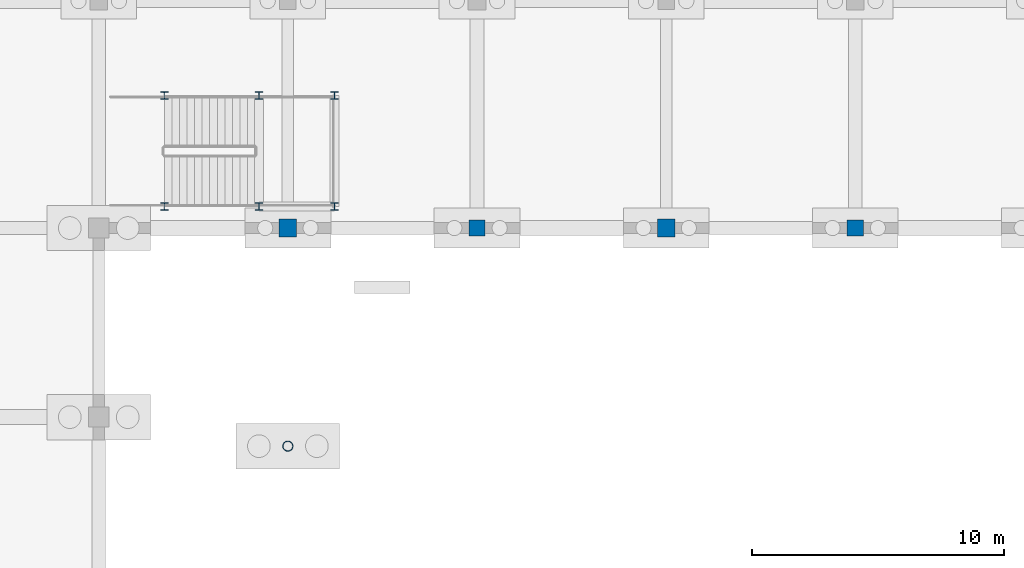
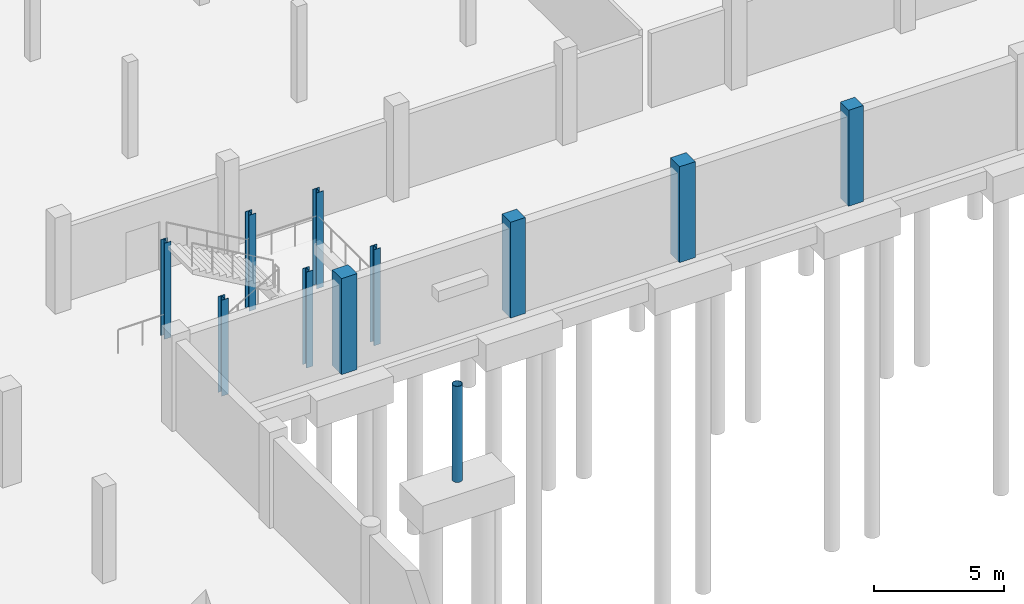
# One storey, part 18 of 42: 11 columns.
"""IFC4 building model written with IfcOpenShell, lengths in metres."""

from ifc_helpers import new_model, si_unit, direction, frame, origin, origin_2d, place, context, subcontext, project, spatial, rectangle, hollow_circle, i_section, extrude, material, material_profile, profile_set, type_object, element, save


model = new_model("IFC4")

# Units and contexts
model_context = context("Model", 3, precision=1e-05, world=origin(), true_north=direction((0.0, 1.0)))
body_context = subcontext(model_context, "Body", "Model", "MODEL_VIEW")
ifc_project = project(units=[si_unit("LENGTHUNIT", "METRE"), si_unit("AREAUNIT", "SQUARE_METRE"), si_unit("VOLUMEUNIT", "CUBIC_METRE"), si_unit("PLANEANGLEUNIT", "RADIAN"), si_unit("MASSUNIT", "GRAM", prefix="KILO")], contexts=[model_context])

# Site, building, storey
site_placement = place(None, origin())
site = spatial("IfcSite", under=ifc_project, at=site_placement, CompositionType="ELEMENT")
building_placement = place(site_placement, origin())
building = spatial("IfcBuilding", under=site, at=building_placement, Name="Dalvernix Boulevard General Hospital", CompositionType="ELEMENT")
storey_placement = place(building_placement, frame((0.0, 0.0, -4.5)))
storey = spatial("IfcBuildingStorey", under=building, at=storey_placement, Name="B1", CompositionType="ELEMENT", Elevation=-4.5)

# Columns
ifc_material_1 = material(Name="Concrete C40/50", Category="concrete")
ifc_material_profile_1 = material_profile(ifc_material_1, rectangle(XDim=0.699951171875, YDim=0.699951171875, at=origin_2d()), Name="RC 700x700")
ifc_profile_set_1 = profile_set([ifc_material_profile_1], Name="Concrete C40/50")
column_type_1 = type_object("IfcColumnType", Name="COL-C-05-E", PredefinedType="COLUMN", material=ifc_profile_set_1)
for number, where, z_axis, x_axis, name in (
    (1, (67.5, 22.5, 0.0), (0.0, 0.0, 1.0), (1.0, 0.0, 0.0), "B1 column 10D"),
    (2, (82.5, 22.5, 0.0), (0.0, 0.0, 1.0), (1.0, 0.0, 0.0), "B1 column 12D"),
):
    element("IfcColumn", number, at=place(storey_placement, frame(where, z_axis=z_axis, x_axis=x_axis)), inside=storey, type_object=column_type_1, Name=name, PredefinedType="COLUMN", context=body_context, shape_type="SweptSolid", body=[
        extrude(rectangle(XDim=0.699951171875, YDim=0.699951171875, at=origin_2d()), origin(), (0.0, 0.0, 1.0), 4.5),
    ])
ifc_material_profile_2 = material_profile(ifc_material_1, rectangle(XDim=0.64990234375, YDim=0.64990234375, at=origin_2d()), Name="RC 650x650")
ifc_profile_set_2 = profile_set([ifc_material_profile_2], Name="Concrete C40/50")
column_type_2 = type_object("IfcColumnType", Name="COL-C-06-E", PredefinedType="COLUMN", material=ifc_profile_set_2)
for number, where, z_axis, x_axis, name in (
    (3, (75.0, 22.5, 0.0), (0.0, 0.0, 1.0), (1.0, 0.0, 0.0), "B1 column 11D"),
    (4, (90.0, 22.5, 0.0), (0.0, 0.0, 1.0), (1.0, 0.0, 0.0), "B1 column 13D"),
):
    element("IfcColumn", number, at=place(storey_placement, frame(where, z_axis=z_axis, x_axis=x_axis)), inside=storey, type_object=column_type_2, Name=name, PredefinedType="COLUMN", context=body_context, shape_type="SweptSolid", body=[
        extrude(rectangle(XDim=0.64990234375, YDim=0.64990234375, at=origin_2d()), origin(), (0.0, 0.0, 1.0), 4.5),
    ])
ifc_material_2 = material(Name="Steel S355", Category="steel")
ifc_material_profile_3 = material_profile(ifc_material_2, i_section(OverallWidth=0.300048828125, OverallDepth=0.300048828125, WebThickness=0.010986328125, FlangeThickness=0.01904296875, FilletRadius=0.027099609375, at=origin_2d()), Name="HEB 300")
ifc_profile_set_3 = profile_set([ifc_material_profile_3], Name="Steel S355")
column_type_3 = type_object("IfcColumnType", Name="COL-C-18", PredefinedType="COLUMN", material=ifc_profile_set_3)
for number, where, z_axis, x_axis, name in (
    (5, (62.60009765625, 23.35009765625, 0.0), (0.0, 0.0, 1.0), (1.0, 0.0, 0.0), "B1 Monumental Stair ST-07 column 1"),
    (6, (66.35009765625, 23.35009765625, 0.0), (0.0, 0.0, 1.0), (1.0, 0.0, 0.0), "B1 Monumental Stair ST-07 column 2"),
    (7, (69.35009765625, 23.35009765625, 0.0), (0.0, 0.0, 1.0), (1.0, 0.0, 0.0), "B1 Monumental Stair ST-07 column 3"),
    (8, (62.60009765625, 27.75, 0.0), (0.0, 0.0, 1.0), (1.0, 0.0, 0.0), "B1 Monumental Stair ST-07 column 4"),
    (9, (66.35009765625, 27.75, 0.0), (0.0, 0.0, 1.0), (1.0, 0.0, 0.0), "B1 Monumental Stair ST-07 column 5"),
    (10, (69.35009765625, 27.75, 0.0), (0.0, 0.0, 1.0), (1.0, 0.0, 0.0), "B1 Monumental Stair ST-07 column 6"),
):
    element("IfcColumn", number, at=place(storey_placement, frame(where, z_axis=z_axis, x_axis=x_axis)), inside=storey, type_object=column_type_3, Name=name, PredefinedType="COLUMN", context=body_context, shape_type="SweptSolid", body=[
        extrude(i_section(OverallWidth=0.300048828125, OverallDepth=0.300048828125, WebThickness=0.010986328125, FlangeThickness=0.01904296875, FilletRadius=0.027099609375, at=origin_2d()), origin(), (0.0, 0.0, 1.0), 4.5),
    ])
ifc_material_profile_4 = material_profile(ifc_material_2, hollow_circle(Radius=0.203125, WallThickness=0.01611328125, at=origin_2d()), Name="CHS 406.4x16.0")
ifc_profile_set_4 = profile_set([ifc_material_profile_4], Name="Steel S355")
column_type_4 = type_object("IfcColumnType", Name="COL-C-19", PredefinedType="COLUMN", material=ifc_profile_set_4)
column_placement = place(storey_placement, frame((67.5, 13.85009765625, 0.0), z_axis=(0.0, 0.0, 1.0), x_axis=(1.0, 0.0, 0.0)))
element("IfcColumn", 11, at=column_placement, inside=storey, type_object=column_type_4, Name="B1 Porte-cochere corner steel pylon B1-1", PredefinedType="COLUMN", context=body_context, shape_type="SweptSolid", body=[
    extrude(hollow_circle(Radius=0.203125, WallThickness=0.01611328125, at=origin_2d()), origin(), (0.0, 0.0, 1.0), 4.5),
])

save(model, "model.ifc")
